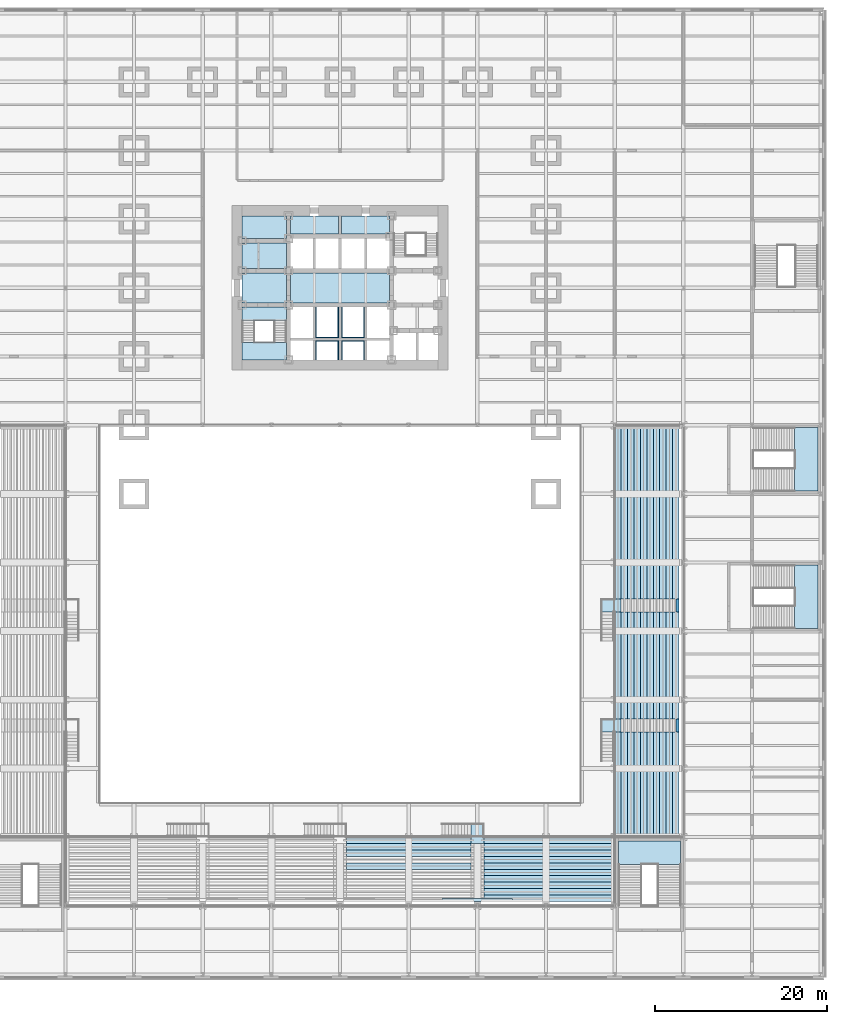
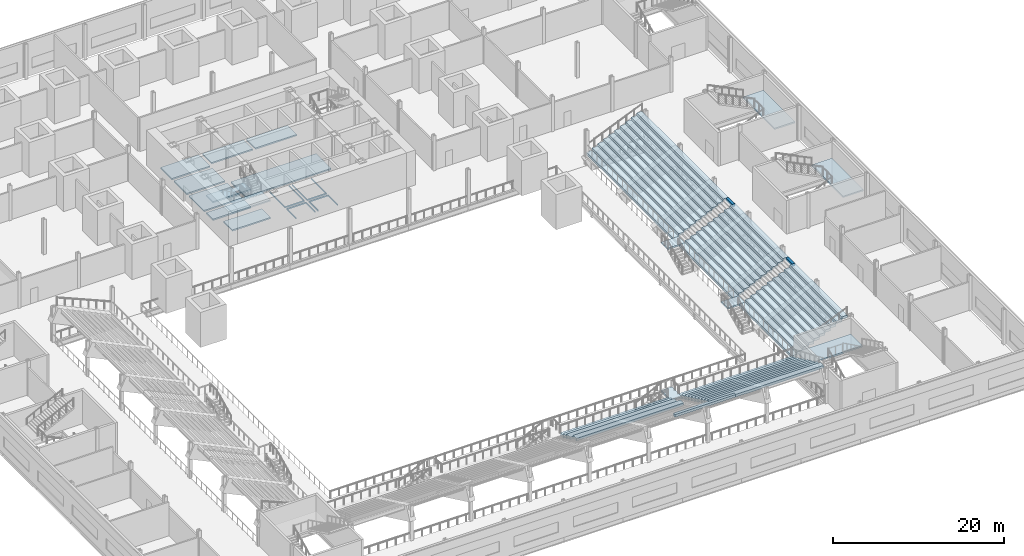
# One storey, part 12 of 27: 67 slabs, 7 elements without a shape of their own.
"""IFC4 building model written with IfcOpenShell, lengths in metres."""

from ifc_helpers import new_model, si_unit, direction, frame, origin, place, context, subcontext, project, spatial, polyline, outline, extrude, material, layer, layer_set, type_object, element, aggregate, save


model = new_model("IFC4")

# Units and contexts
model_context = context("Model", 3, precision=1e-05, world=origin(), true_north=direction((0.0, 1.0)))
body_context = subcontext(model_context, "Body", "Model", "MODEL_VIEW")
ifc_project = project(units=[si_unit("LENGTHUNIT", "METRE"), si_unit("AREAUNIT", "SQUARE_METRE"), si_unit("VOLUMEUNIT", "CUBIC_METRE"), si_unit("PLANEANGLEUNIT", "RADIAN"), si_unit("MASSUNIT", "GRAM", prefix="KILO")], contexts=[model_context])

# Site, building, storey
site_placement = place(None, origin())
site = spatial("IfcSite", under=ifc_project, at=site_placement, CompositionType="ELEMENT")
building_placement = place(site_placement, origin())
building = spatial("IfcBuilding", under=site, at=building_placement, Name="Daluyong Arena Tower", CompositionType="ELEMENT")
storey_placement = place(building_placement, frame((0.0, 0.0, 14.89990234375)))
storey = spatial("IfcBuildingStorey", under=building, at=storey_placement, Name="L03", CompositionType="ELEMENT", Elevation=14.89990234375)

# Slabs
ifc_material_1 = material(Name="Concrete fc' 35 MPa", Category="concrete")
ifc_layer_1 = layer(ifc_material_1, 0.199951171875)
ifc_layer_set_1 = layer_set([ifc_layer_1], Name="Concrete fc' 35 MPa")
slab_type_1 = type_object("IfcSlabType", Name="Podium floor slab 200", PredefinedType="FLOOR", material=ifc_layer_set_1)
slab_1_placement = place(storey_placement, frame((0.0, 0.0, -0.199951171875)))
element("IfcSlab", 1, at=slab_1_placement, inside=storey, type_object=slab_type_1, Name="podium floor L03 part 1", PredefinedType="FLOOR", context=body_context, shape_type="SweptSolid", body=[
    extrude(outline(polyline([(49.75, 76.175048828125), (49.75, 77.75), (44.60009765625, 77.75), (44.60009765625, 76.175048828125), (49.75, 76.175048828125)])), origin(), (0.0, 0.0, 1.0), 0.199951171875),
])
slab_2_placement = place(storey_placement, frame((0.0, 0.0, -0.199951171875)))
element("IfcSlab", 2, at=slab_2_placement, inside=storey, type_object=slab_type_1, Name="podium floor L03 part 2", PredefinedType="FLOOR", context=body_context, shape_type="SweptSolid", body=[
    extrude(outline(polyline([(49.75, 78.25), (49.75, 81.75), (44.60009765625, 81.75), (44.60009765625, 78.25), (49.75, 78.25)])), origin(), (0.0, 0.0, 1.0), 0.199951171875),
])
slab_3_placement = place(storey_placement, frame((0.0, 0.0, -0.199951171875)))
element("IfcSlab", 3, at=slab_3_placement, inside=storey, type_object=slab_type_1, Name="podium floor L03 part 3", PredefinedType="FLOOR", context=body_context, shape_type="SweptSolid", body=[
    extrude(outline(polyline([(49.75, 82.25), (49.75, 85.25), (44.60009765625, 85.25), (44.60009765625, 82.25), (49.75, 82.25)])), origin(), (0.0, 0.0, 1.0), 0.199951171875),
])
slab_4_placement = place(storey_placement, frame((0.0, 0.0, -0.199951171875)))
element("IfcSlab", 4, at=slab_4_placement, inside=storey, type_object=slab_type_1, Name="podium floor L03 part 4", PredefinedType="FLOOR", context=body_context, shape_type="SweptSolid", body=[
    extrude(outline(polyline([(44.60009765625, 88.39990234375), (44.60009765625, 85.75), (49.75, 85.75), (49.75, 88.39990234375), (44.60009765625, 88.39990234375)])), origin(), (0.0, 0.0, 1.0), 0.199951171875),
])
slab_5_placement = place(storey_placement, frame((0.0, 0.0, -0.199951171875)))
element("IfcSlab", 5, at=slab_5_placement, inside=storey, type_object=slab_type_1, Name="podium floor L03 part 5", PredefinedType="FLOOR", context=body_context, shape_type="SweptSolid", body=[
    extrude(outline(polyline([(50.25, 88.39990234375), (50.25, 86.25), (55.824951171875, 86.25), (55.824951171875, 88.39990234375), (50.25, 88.39990234375)])), origin(), (0.0, 0.0, 1.0), 0.199951171875),
])
slab_6_placement = place(storey_placement, frame((0.0, 0.0, -0.199951171875)))
element("IfcSlab", 6, at=slab_6_placement, inside=storey, type_object=slab_type_1, Name="podium floor L03 part 6", PredefinedType="FLOOR", context=body_context, shape_type="SweptSolid", body=[
    extrude(outline(polyline([(53.25, 73.75), (55.75, 73.75), (55.75, 71.60009765625), (55.824951171875, 71.60009765625), (55.824951171875, 73.824951171875), (53.175048828125, 73.824951171875), (53.175048828125, 71.60009765625), (53.25, 71.60009765625), (53.25, 73.75)])), origin(), (0.0, 0.0, 1.0), 0.199951171875),
])
slab_7_placement = place(storey_placement, frame((0.0, 0.0, -0.199951171875)))
element("IfcSlab", 7, at=slab_7_placement, inside=storey, type_object=slab_type_1, Name="podium floor L03 part 7", PredefinedType="FLOOR", context=body_context, shape_type="SweptSolid", body=[
    extrude(outline(polyline([(53.25, 74.25), (53.25, 77.75), (53.175048828125, 77.75), (53.175048828125, 74.175048828125), (55.824951171875, 74.175048828125), (55.824951171875, 77.75), (55.75, 77.75), (55.75, 74.25), (53.25, 74.25)])), origin(), (0.0, 0.0, 1.0), 0.199951171875),
])
slab_8_placement = place(storey_placement, frame((0.0, 0.0, -0.199951171875)))
element("IfcSlab", 8, at=slab_8_placement, inside=storey, type_object=slab_type_1, Name="podium floor L03 part 9", PredefinedType="FLOOR", context=body_context, shape_type="SweptSolid", body=[
    extrude(outline(polyline([(61.75, 81.75), (50.25, 81.75), (50.25, 78.25), (61.75, 78.25), (61.75, 81.75)])), origin(), (0.0, 0.0, 1.0), 0.199951171875),
])
slab_9_placement = place(storey_placement, frame((0.0, 0.0, -0.199951171875)))
element("IfcSlab", 9, at=slab_9_placement, inside=storey, type_object=slab_type_1, Name="podium floor L03 part 10", PredefinedType="FLOOR", context=body_context, shape_type="SweptSolid", body=[
    extrude(outline(polyline([(58.824951171875, 73.824951171875), (56.175048828125, 73.824951171875), (56.175048828125, 71.60009765625), (56.25, 71.60009765625), (56.25, 73.75), (58.75, 73.75), (58.75, 71.60009765625), (58.824951171875, 71.60009765625), (58.824951171875, 73.824951171875)])), origin(), (0.0, 0.0, 1.0), 0.199951171875),
])
slab_10_placement = place(storey_placement, frame((0.0, 0.0, -0.199951171875)))
element("IfcSlab", 10, at=slab_10_placement, inside=storey, type_object=slab_type_1, Name="podium floor L03 part 11", PredefinedType="FLOOR", context=body_context, shape_type="SweptSolid", body=[
    extrude(outline(polyline([(56.25, 74.25), (56.25, 77.75), (56.175048828125, 77.75), (56.175048828125, 74.175048828125), (58.824951171875, 74.175048828125), (58.824951171875, 77.75), (58.75, 77.75), (58.75, 74.25), (56.25, 74.25)])), origin(), (0.0, 0.0, 1.0), 0.199951171875),
])
slab_11_placement = place(storey_placement, frame((0.0, 0.0, -0.199951171875)))
element("IfcSlab", 11, at=slab_11_placement, inside=storey, type_object=slab_type_1, Name="podium floor L03 part 12", PredefinedType="FLOOR", context=body_context, shape_type="SweptSolid", body=[
    extrude(outline(polyline([(56.175048828125, 86.25), (61.75, 86.25), (61.75, 88.39990234375), (56.175048828125, 88.39990234375), (56.175048828125, 86.25)])), origin(), (0.0, 0.0, 1.0), 0.199951171875),
])

# Stair, slabs
ifc_material_2 = material(Name="Concrete fc' 35 MPa", Category="concrete")
stair_type_1 = type_object("IfcStairType", Name="Core exit stair", PredefinedType="HALF_TURN_STAIR", material=ifc_material_2)
stair_1_placement = place(storey_placement, origin())
stair_1 = element("IfcStair", 12, at=stair_1_placement, inside=storey, type_object=stair_type_1, Name="exit stair A L03", PredefinedType="HALF_TURN_STAIR")
ifc_material_3 = material(Name="Concrete fc' 35 MPa", Category="concrete")
ifc_layer_2 = layer(ifc_material_3, 0.199951171875)
ifc_layer_set_2 = layer_set([ifc_layer_2], Name="Concrete fc' 35 MPa")
slab_type_2 = type_object("IfcSlabType", Name="Stair landing 200", PredefinedType="LANDING", material=ifc_layer_set_2)
slab_12_placement = place(storey_placement, frame((0.0, 0.0, 1.050048828125)))
slab_12 = element("IfcSlab", 13, at=slab_12_placement, type_object=slab_type_2, Name="STA landing 1", PredefinedType="LANDING", context=body_context, shape_type="SweptSolid", body=[
    extrude(outline(polyline([(44.60009765625, 71.60009765625), (49.75, 71.60009765625), (49.75, 73.655029296875), (44.60009765625, 73.655029296875), (44.60009765625, 71.60009765625)])), origin(), (0.0, 0.0, 1.0), 0.199951171875),
])
slab_13_placement = place(storey_placement, frame((0.0, 0.0, 2.300048828125)))
slab_13 = element("IfcSlab", 14, at=slab_13_placement, type_object=slab_type_2, Name="STA landing 2", PredefinedType="LANDING", context=body_context, shape_type="SweptSolid", body=[
    extrude(outline(polyline([(44.60009765625, 76.175048828125), (49.75, 76.175048828125), (49.75, 77.75), (44.60009765625, 77.75), (44.60009765625, 76.175048828125)])), origin(), (0.0, 0.0, 1.0), 0.199951171875),
])
slab_14_placement = place(storey_placement, frame((0.0, 0.0, 3.550048828125)))
slab_14 = element("IfcSlab", 15, at=slab_14_placement, type_object=slab_type_2, Name="STA landing 3", PredefinedType="LANDING", context=body_context, shape_type="SweptSolid", body=[
    extrude(outline(polyline([(44.60009765625, 71.60009765625), (49.75, 71.60009765625), (49.75, 73.655029296875), (44.60009765625, 73.655029296875), (44.60009765625, 71.60009765625)])), origin(), (0.0, 0.0, 1.0), 0.199951171875),
])
aggregate(stair_1, [slab_12, slab_13, slab_14])

# Stair, slab
ifc_material_4 = material(Name="Concrete fc' 35 MPa", Category="concrete")
stair_type_2 = type_object("IfcStairType", Name="Podium exit stair", PredefinedType="HALF_TURN_STAIR", material=ifc_material_4)
stair_2_placement = place(storey_placement, origin())
stair_2 = element("IfcStair", 16, at=stair_2_placement, inside=storey, type_object=stair_type_2, Name="exit stair PS2 L03", PredefinedType="HALF_TURN_STAIR")
slab_15_placement = place(storey_placement, frame((0.0, 0.0, 2.300048828125)))
slab_15 = element("IfcSlab", 17, at=slab_15_placement, type_object=slab_type_2, Name="PS2 landing 1", PredefinedType="LANDING", context=body_context, shape_type="SweptSolid", body=[
    extrude(outline(polyline([(88.449951171875, 12.81005859375), (95.699951171875, 12.81005859375), (95.699951171875, 15.550048828125), (88.449951171875, 15.550048828125), (88.449951171875, 12.81005859375)])), origin(), (0.0, 0.0, 1.0), 0.199951171875),
])
aggregate(stair_2, [slab_15])

stair_3_placement = place(storey_placement, origin())
stair_3 = element("IfcStair", 18, at=stair_3_placement, inside=storey, type_object=stair_type_2, Name="exit stair PS4 L03", PredefinedType="HALF_TURN_STAIR")
slab_16_placement = place(storey_placement, frame((0.0, 0.0, 2.300048828125)))
slab_16 = element("IfcSlab", 19, at=slab_16_placement, type_object=slab_type_2, Name="PS4 landing 1", PredefinedType="LANDING", context=body_context, shape_type="SweptSolid", body=[
    extrude(outline(polyline([(111.699951171875, 40.300048828125), (111.699951171875, 47.699951171875), (108.9599609375, 47.699951171875), (108.9599609375, 40.300048828125), (111.699951171875, 40.300048828125)])), origin(), (0.0, 0.0, 1.0), 0.199951171875),
])
aggregate(stair_3, [slab_16])

stair_4_placement = place(storey_placement, origin())
stair_4 = element("IfcStair", 20, at=stair_4_placement, inside=storey, type_object=stair_type_2, Name="exit stair PS8 L03", PredefinedType="HALF_TURN_STAIR")
slab_17_placement = place(storey_placement, frame((0.0, 0.0, 2.300048828125)))
slab_17 = element("IfcSlab", 21, at=slab_17_placement, type_object=slab_type_2, Name="PS8 landing 1", PredefinedType="LANDING", context=body_context, shape_type="SweptSolid", body=[
    extrude(outline(polyline([(111.699951171875, 56.300048828125), (111.699951171875, 63.699951171875), (108.9599609375, 63.699951171875), (108.9599609375, 56.300048828125), (111.699951171875, 56.300048828125)])), origin(), (0.0, 0.0, 1.0), 0.199951171875),
])
aggregate(stair_4, [slab_17])

ifc_material_5 = material(Name="Concrete fc' 35 MPa", Category="concrete")
stair_type_3 = type_object("IfcStairType", Name="Bowl aisle stair", PredefinedType="STRAIGHT_RUN_STAIR", material=ifc_material_5)
stair_5_placement = place(storey_placement, origin())
stair_5 = element("IfcStair", 22, at=stair_5_placement, inside=storey, type_object=stair_type_3, Name="upper bowl aisle stair", PredefinedType="STRAIGHT_RUN_STAIR")
slab_18_placement = place(storey_placement, frame((0.0, 0.0, 1.585693359375)))
slab_18 = element("IfcSlab", 23, at=slab_18_placement, type_object=slab_type_2, Name="AS landing 1", PredefinedType="LANDING", context=body_context, shape_type="SweptSolid", body=[
    extrude(outline(polyline([(88.75, 28.25), (88.75, 29.75), (86.39990234375, 29.75), (86.39990234375, 28.25), (88.75, 28.25)])), origin(), (0.0, 0.0, 1.0), 0.2001953125),
])
aggregate(stair_5, [slab_18])

stair_6_placement = place(storey_placement, origin())
stair_6 = element("IfcStair", 24, at=stair_6_placement, inside=storey, type_object=stair_type_3, Name="upper bowl aisle stair", PredefinedType="STRAIGHT_RUN_STAIR")
slab_19_placement = place(storey_placement, frame((0.0, 0.0, 1.585693359375)))
slab_19 = element("IfcSlab", 25, at=slab_19_placement, type_object=slab_type_2, Name="AS landing 1", PredefinedType="LANDING", context=body_context, shape_type="SweptSolid", body=[
    extrude(outline(polyline([(88.75, 42.25), (88.75, 43.75), (86.39990234375, 43.75), (86.39990234375, 42.25), (88.75, 42.25)])), origin(), (0.0, 0.0, 1.0), 0.2001953125),
])
aggregate(stair_6, [slab_19])

stair_7_placement = place(storey_placement, origin())
stair_7 = element("IfcStair", 26, at=stair_7_placement, inside=storey, type_object=stair_type_3, Name="upper bowl aisle stair", PredefinedType="STRAIGHT_RUN_STAIR")
slab_20_placement = place(storey_placement, frame((0.0, 0.0, 1.585693359375)))
slab_20 = element("IfcSlab", 27, at=slab_20_placement, type_object=slab_type_2, Name="AS landing 1", PredefinedType="LANDING", context=body_context, shape_type="SweptSolid", body=[
    extrude(outline(polyline([(71.25, 15.25), (72.75, 15.25), (72.75, 17.60009765625), (71.25, 17.60009765625), (71.25, 15.25)])), origin(), (0.0, 0.0, 1.0), 0.2001953125),
])
aggregate(stair_7, [slab_20])

# Slabs
ifc_material_6 = material(Name="Concrete fc' 45 MPa", Category="concrete")
ifc_layer_3 = layer(ifc_material_6, 0.357177734375)
ifc_layer_set_3 = layer_set([ifc_layer_3], Name="Concrete fc' 45 MPa")
slab_type_3 = type_object("IfcSlabType", Name="Upper seating aisle head unit", PredefinedType="USERDEFINED", material=ifc_layer_set_3)
slab_21_placement = place(storey_placement, frame((0.0, 0.0, 4.64306640625)))
element("IfcSlab", 28, at=slab_21_placement, inside=storey, type_object=slab_type_3, Name="upper seating row 10 E aisle head 1", ObjectType="SEATING UNIT", PredefinedType="USERDEFINED", context=body_context, shape_type="SweptSolid", body=[
    extrude(outline(polyline([(95.125, 28.25), (95.5, 28.25), (95.5, 29.75), (95.125, 29.75), (95.125, 28.25)])), origin(), (0.0, 0.0, 1.0), 0.35693359375),
])
slab_22_placement = place(storey_placement, frame((0.0, 0.0, 4.64306640625)))
element("IfcSlab", 29, at=slab_22_placement, inside=storey, type_object=slab_type_3, Name="upper seating row 10 E aisle head 2", ObjectType="SEATING UNIT", PredefinedType="USERDEFINED", context=body_context, shape_type="SweptSolid", body=[
    extrude(outline(polyline([(95.125, 42.25), (95.5, 42.25), (95.5, 43.75), (95.125, 43.75), (95.125, 42.25)])), origin(), (0.0, 0.0, 1.0), 0.35693359375),
])
slab_23_placement = place(storey_placement, frame((0.0, 0.0, 4.64306640625)))
element("IfcSlab", 30, at=slab_23_placement, inside=storey, type_object=slab_type_3, Name="upper seating row 10 S aisle head 3", ObjectType="SEATING UNIT", PredefinedType="USERDEFINED", context=body_context, shape_type="SweptSolid", body=[
    extrude(outline(polyline([(76.10009765625, 8.5), (76.10009765625, 8.875), (67.89990234375, 8.875), (67.89990234375, 8.5), (76.10009765625, 8.5)])), origin(), (0.0, 0.0, 1.0), 0.35693359375),
])
ifc_material_7 = material(Name="Concrete fc' 45 MPa", Category="concrete")
ifc_layer_4 = layer(ifc_material_7, 0.357177734375)
ifc_layer_set_4 = layer_set([ifc_layer_4], Name="Concrete fc' 45 MPa")
slab_type_4 = type_object("IfcSlabType", Name="Upper seating unit", PredefinedType="USERDEFINED", material=ifc_layer_set_4)
slab_24_placement = place(storey_placement, frame((0.0, 0.0, 1.4287109375)))
element("IfcSlab", 31, at=slab_24_placement, inside=storey, type_object=slab_type_4, Name="upper seating row 1 E part 1", ObjectType="SEATING UNIT", PredefinedType="USERDEFINED", context=body_context, shape_type="SweptSolid", body=[
    extrude(outline(polyline([(88.75, 16.0), (88.75, 28.25), (88.0, 28.25), (88.0, 16.0), (88.75, 16.0)])), origin(), (0.0, 0.0, 1.0), 0.357177734375),
])
slab_25_placement = place(storey_placement, frame((0.0, 0.0, 1.4287109375)))
element("IfcSlab", 32, at=slab_25_placement, inside=storey, type_object=slab_type_4, Name="upper seating row 1 E part 2", ObjectType="SEATING UNIT", PredefinedType="USERDEFINED", context=body_context, shape_type="SweptSolid", body=[
    extrude(outline(polyline([(88.75, 29.75), (88.75, 42.25), (88.0, 42.25), (88.0, 29.75), (88.75, 29.75)])), origin(), (0.0, 0.0, 1.0), 0.357177734375),
])
slab_26_placement = place(storey_placement, frame((0.0, 0.0, 1.4287109375)))
element("IfcSlab", 33, at=slab_26_placement, inside=storey, type_object=slab_type_4, Name="upper seating row 1 E part 3", ObjectType="SEATING UNIT", PredefinedType="USERDEFINED", context=body_context, shape_type="SweptSolid", body=[
    extrude(outline(polyline([(88.0, 64.0), (88.0, 43.75), (88.75, 43.75), (88.75, 64.0), (88.0, 64.0)])), origin(), (0.0, 0.0, 1.0), 0.357177734375),
])
slab_27_placement = place(storey_placement, frame((0.0, 0.0, 1.4287109375)))
element("IfcSlab", 34, at=slab_27_placement, inside=storey, type_object=slab_type_4, Name="upper seating row 1 S part 3", ObjectType="SEATING UNIT", PredefinedType="USERDEFINED", context=body_context, shape_type="SweptSolid", body=[
    extrude(outline(polyline([(71.25, 16.0), (56.75, 16.0), (56.75, 15.25), (71.25, 15.25), (71.25, 16.0)])), origin(), (0.0, 0.0, 1.0), 0.357177734375),
])
slab_28_placement = place(storey_placement, frame((0.0, 0.0, 1.4287109375)))
element("IfcSlab", 35, at=slab_28_placement, inside=storey, type_object=slab_type_4, Name="upper seating row 1 S part 4", ObjectType="SEATING UNIT", PredefinedType="USERDEFINED", context=body_context, shape_type="SweptSolid", body=[
    extrude(outline(polyline([(88.0, 16.0), (72.75, 16.0), (72.75, 15.25), (88.0, 15.25), (88.0, 16.0)])), origin(), (0.0, 0.0, 1.0), 0.357177734375),
])
slab_29_placement = place(storey_placement, frame((0.0, 0.0, 1.785888671875)))
element("IfcSlab", 36, at=slab_29_placement, inside=storey, type_object=slab_type_4, Name="upper seating row 2 E part 1", ObjectType="SEATING UNIT", PredefinedType="USERDEFINED", context=body_context, shape_type="SweptSolid", body=[
    extrude(outline(polyline([(89.5, 16.0), (89.5, 28.25), (88.75, 28.25), (88.75, 16.0), (89.5, 16.0)])), origin(), (0.0, 0.0, 1.0), 0.357177734375),
])
slab_30_placement = place(storey_placement, frame((0.0, 0.0, 1.785888671875)))
element("IfcSlab", 37, at=slab_30_placement, inside=storey, type_object=slab_type_4, Name="upper seating row 2 E part 2", ObjectType="SEATING UNIT", PredefinedType="USERDEFINED", context=body_context, shape_type="SweptSolid", body=[
    extrude(outline(polyline([(89.5, 29.75), (89.5, 42.25), (88.75, 42.25), (88.75, 29.75), (89.5, 29.75)])), origin(), (0.0, 0.0, 1.0), 0.357177734375),
])
slab_31_placement = place(storey_placement, frame((0.0, 0.0, 1.785888671875)))
element("IfcSlab", 38, at=slab_31_placement, inside=storey, type_object=slab_type_4, Name="upper seating row 2 E part 3", ObjectType="SEATING UNIT", PredefinedType="USERDEFINED", context=body_context, shape_type="SweptSolid", body=[
    extrude(outline(polyline([(88.75, 64.0), (88.75, 43.75), (89.5, 43.75), (89.5, 64.0), (88.75, 64.0)])), origin(), (0.0, 0.0, 1.0), 0.357177734375),
])
slab_32_placement = place(storey_placement, frame((0.0, 0.0, 1.785888671875)))
element("IfcSlab", 39, at=slab_32_placement, inside=storey, type_object=slab_type_4, Name="upper seating row 2 S part 3", ObjectType="SEATING UNIT", PredefinedType="USERDEFINED", context=body_context, shape_type="SweptSolid", body=[
    extrude(outline(polyline([(71.25, 15.25), (56.75, 15.25), (56.75, 14.5), (71.25, 14.5), (71.25, 15.25)])), origin(), (0.0, 0.0, 1.0), 0.357177734375),
])
slab_33_placement = place(storey_placement, frame((0.0, 0.0, 1.785888671875)))
element("IfcSlab", 40, at=slab_33_placement, inside=storey, type_object=slab_type_4, Name="upper seating row 2 S part 4", ObjectType="SEATING UNIT", PredefinedType="USERDEFINED", context=body_context, shape_type="SweptSolid", body=[
    extrude(outline(polyline([(88.0, 15.25), (72.75, 15.25), (72.75, 14.5), (88.0, 14.5), (88.0, 15.25)])), origin(), (0.0, 0.0, 1.0), 0.357177734375),
])
slab_34_placement = place(storey_placement, frame((0.0, 0.0, 2.14306640625)))
element("IfcSlab", 41, at=slab_34_placement, inside=storey, type_object=slab_type_4, Name="upper seating row 3 E part 1", ObjectType="SEATING UNIT", PredefinedType="USERDEFINED", context=body_context, shape_type="SweptSolid", body=[
    extrude(outline(polyline([(90.25, 16.0), (90.25, 28.25), (89.5, 28.25), (89.5, 16.0), (90.25, 16.0)])), origin(), (0.0, 0.0, 1.0), 0.35693359375),
])
slab_35_placement = place(storey_placement, frame((0.0, 0.0, 2.14306640625)))
element("IfcSlab", 42, at=slab_35_placement, inside=storey, type_object=slab_type_4, Name="upper seating row 3 E part 2", ObjectType="SEATING UNIT", PredefinedType="USERDEFINED", context=body_context, shape_type="SweptSolid", body=[
    extrude(outline(polyline([(90.25, 29.75), (90.25, 42.25), (89.5, 42.25), (89.5, 29.75), (90.25, 29.75)])), origin(), (0.0, 0.0, 1.0), 0.35693359375),
])
slab_36_placement = place(storey_placement, frame((0.0, 0.0, 2.14306640625)))
element("IfcSlab", 43, at=slab_36_placement, inside=storey, type_object=slab_type_4, Name="upper seating row 3 E part 3", ObjectType="SEATING UNIT", PredefinedType="USERDEFINED", context=body_context, shape_type="SweptSolid", body=[
    extrude(outline(polyline([(89.5, 64.0), (89.5, 43.75), (90.25, 43.75), (90.25, 64.0), (89.5, 64.0)])), origin(), (0.0, 0.0, 1.0), 0.35693359375),
])
slab_37_placement = place(storey_placement, frame((0.0, 0.0, 2.14306640625)))
element("IfcSlab", 44, at=slab_37_placement, inside=storey, type_object=slab_type_4, Name="upper seating row 3 S part 3", ObjectType="SEATING UNIT", PredefinedType="USERDEFINED", context=body_context, shape_type="SweptSolid", body=[
    extrude(outline(polyline([(71.25, 14.5), (56.75, 14.5), (56.75, 13.75), (71.25, 13.75), (71.25, 14.5)])), origin(), (0.0, 0.0, 1.0), 0.35693359375),
])
slab_38_placement = place(storey_placement, frame((0.0, 0.0, 2.14306640625)))
element("IfcSlab", 45, at=slab_38_placement, inside=storey, type_object=slab_type_4, Name="upper seating row 3 S part 4", ObjectType="SEATING UNIT", PredefinedType="USERDEFINED", context=body_context, shape_type="SweptSolid", body=[
    extrude(outline(polyline([(88.0, 14.5), (72.75, 14.5), (72.75, 13.75), (88.0, 13.75), (88.0, 14.5)])), origin(), (0.0, 0.0, 1.0), 0.35693359375),
])
slab_39_placement = place(storey_placement, frame((0.0, 0.0, 2.5)))
element("IfcSlab", 46, at=slab_39_placement, inside=storey, type_object=slab_type_4, Name="upper seating row 4 E part 1", ObjectType="SEATING UNIT", PredefinedType="USERDEFINED", context=body_context, shape_type="SweptSolid", body=[
    extrude(outline(polyline([(91.0, 16.0), (91.0, 28.25), (90.25, 28.25), (90.25, 16.0), (91.0, 16.0)])), origin(), (0.0, 0.0, 1.0), 0.357177734375),
])
slab_40_placement = place(storey_placement, frame((0.0, 0.0, 2.5)))
element("IfcSlab", 47, at=slab_40_placement, inside=storey, type_object=slab_type_4, Name="upper seating row 4 E part 2", ObjectType="SEATING UNIT", PredefinedType="USERDEFINED", context=body_context, shape_type="SweptSolid", body=[
    extrude(outline(polyline([(91.0, 29.75), (91.0, 42.25), (90.25, 42.25), (90.25, 29.75), (91.0, 29.75)])), origin(), (0.0, 0.0, 1.0), 0.357177734375),
])
slab_41_placement = place(storey_placement, frame((0.0, 0.0, 2.5)))
element("IfcSlab", 48, at=slab_41_placement, inside=storey, type_object=slab_type_4, Name="upper seating row 4 E part 3", ObjectType="SEATING UNIT", PredefinedType="USERDEFINED", context=body_context, shape_type="SweptSolid", body=[
    extrude(outline(polyline([(90.25, 64.0), (90.25, 43.75), (91.0, 43.75), (91.0, 64.0), (90.25, 64.0)])), origin(), (0.0, 0.0, 1.0), 0.357177734375),
])
slab_42_placement = place(storey_placement, frame((0.0, 0.0, 2.5)))
element("IfcSlab", 49, at=slab_42_placement, inside=storey, type_object=slab_type_4, Name="upper seating row 4 S part 4", ObjectType="SEATING UNIT", PredefinedType="USERDEFINED", context=body_context, shape_type="SweptSolid", body=[
    extrude(outline(polyline([(88.0, 13.75), (72.75, 13.75), (72.75, 13.0), (88.0, 13.0), (88.0, 13.75)])), origin(), (0.0, 0.0, 1.0), 0.357177734375),
])
slab_43_placement = place(storey_placement, frame((0.0, 0.0, 2.857177734375)))
element("IfcSlab", 50, at=slab_43_placement, inside=storey, type_object=slab_type_4, Name="upper seating row 5 E part 1", ObjectType="SEATING UNIT", PredefinedType="USERDEFINED", context=body_context, shape_type="SweptSolid", body=[
    extrude(outline(polyline([(91.75, 16.0), (91.75, 28.25), (91.0, 28.25), (91.0, 16.0), (91.75, 16.0)])), origin(), (0.0, 0.0, 1.0), 0.357177734375),
])
slab_44_placement = place(storey_placement, frame((0.0, 0.0, 2.857177734375)))
element("IfcSlab", 51, at=slab_44_placement, inside=storey, type_object=slab_type_4, Name="upper seating row 5 E part 2", ObjectType="SEATING UNIT", PredefinedType="USERDEFINED", context=body_context, shape_type="SweptSolid", body=[
    extrude(outline(polyline([(91.75, 29.75), (91.75, 42.25), (91.0, 42.25), (91.0, 29.75), (91.75, 29.75)])), origin(), (0.0, 0.0, 1.0), 0.357177734375),
])
slab_45_placement = place(storey_placement, frame((0.0, 0.0, 2.857177734375)))
element("IfcSlab", 52, at=slab_45_placement, inside=storey, type_object=slab_type_4, Name="upper seating row 5 E part 3", ObjectType="SEATING UNIT", PredefinedType="USERDEFINED", context=body_context, shape_type="SweptSolid", body=[
    extrude(outline(polyline([(91.0, 64.0), (91.0, 43.75), (91.75, 43.75), (91.75, 64.0), (91.0, 64.0)])), origin(), (0.0, 0.0, 1.0), 0.357177734375),
])
slab_46_placement = place(storey_placement, frame((0.0, 0.0, 2.857177734375)))
element("IfcSlab", 53, at=slab_46_placement, inside=storey, type_object=slab_type_4, Name="upper seating row 5 S part 3", ObjectType="SEATING UNIT", PredefinedType="USERDEFINED", context=body_context, shape_type="SweptSolid", body=[
    extrude(outline(polyline([(71.25, 13.0), (56.75, 13.0), (56.75, 12.25), (71.25, 12.25), (71.25, 13.0)])), origin(), (0.0, 0.0, 1.0), 0.357177734375),
])
slab_47_placement = place(storey_placement, frame((0.0, 0.0, 2.857177734375)))
element("IfcSlab", 54, at=slab_47_placement, inside=storey, type_object=slab_type_4, Name="upper seating row 5 S part 4", ObjectType="SEATING UNIT", PredefinedType="USERDEFINED", context=body_context, shape_type="SweptSolid", body=[
    extrude(outline(polyline([(88.0, 13.0), (72.75, 13.0), (72.75, 12.25), (88.0, 12.25), (88.0, 13.0)])), origin(), (0.0, 0.0, 1.0), 0.357177734375),
])
slab_48_placement = place(storey_placement, frame((0.0, 0.0, 3.21435546875)))
element("IfcSlab", 55, at=slab_48_placement, inside=storey, type_object=slab_type_4, Name="upper seating row 6 E part 1", ObjectType="SEATING UNIT", PredefinedType="USERDEFINED", context=body_context, shape_type="SweptSolid", body=[
    extrude(outline(polyline([(92.5, 16.0), (92.5, 28.25), (91.75, 28.25), (91.75, 16.0), (92.5, 16.0)])), origin(), (0.0, 0.0, 1.0), 0.357177734375),
])
slab_49_placement = place(storey_placement, frame((0.0, 0.0, 3.21435546875)))
element("IfcSlab", 56, at=slab_49_placement, inside=storey, type_object=slab_type_4, Name="upper seating row 6 E part 2", ObjectType="SEATING UNIT", PredefinedType="USERDEFINED", context=body_context, shape_type="SweptSolid", body=[
    extrude(outline(polyline([(92.5, 29.75), (92.5, 42.25), (91.75, 42.25), (91.75, 29.75), (92.5, 29.75)])), origin(), (0.0, 0.0, 1.0), 0.357177734375),
])
slab_50_placement = place(storey_placement, frame((0.0, 0.0, 3.21435546875)))
element("IfcSlab", 57, at=slab_50_placement, inside=storey, type_object=slab_type_4, Name="upper seating row 6 E part 3", ObjectType="SEATING UNIT", PredefinedType="USERDEFINED", context=body_context, shape_type="SweptSolid", body=[
    extrude(outline(polyline([(91.75, 64.0), (91.75, 43.75), (92.5, 43.75), (92.5, 64.0), (91.75, 64.0)])), origin(), (0.0, 0.0, 1.0), 0.357177734375),
])
slab_51_placement = place(storey_placement, frame((0.0, 0.0, 3.21435546875)))
element("IfcSlab", 58, at=slab_51_placement, inside=storey, type_object=slab_type_4, Name="upper seating row 6 S part 4", ObjectType="SEATING UNIT", PredefinedType="USERDEFINED", context=body_context, shape_type="SweptSolid", body=[
    extrude(outline(polyline([(88.0, 12.25), (72.75, 12.25), (72.75, 11.5), (88.0, 11.5), (88.0, 12.25)])), origin(), (0.0, 0.0, 1.0), 0.357177734375),
])
slab_52_placement = place(storey_placement, frame((0.0, 0.0, 3.571533203125)))
element("IfcSlab", 59, at=slab_52_placement, inside=storey, type_object=slab_type_4, Name="upper seating row 7 E part 1", ObjectType="SEATING UNIT", PredefinedType="USERDEFINED", context=body_context, shape_type="SweptSolid", body=[
    extrude(outline(polyline([(93.25, 16.0), (93.25, 28.25), (92.5, 28.25), (92.5, 16.0), (93.25, 16.0)])), origin(), (0.0, 0.0, 1.0), 0.357177734375),
])
slab_53_placement = place(storey_placement, frame((0.0, 0.0, 3.571533203125)))
element("IfcSlab", 60, at=slab_53_placement, inside=storey, type_object=slab_type_4, Name="upper seating row 7 E part 2", ObjectType="SEATING UNIT", PredefinedType="USERDEFINED", context=body_context, shape_type="SweptSolid", body=[
    extrude(outline(polyline([(93.25, 29.75), (93.25, 42.25), (92.5, 42.25), (92.5, 29.75), (93.25, 29.75)])), origin(), (0.0, 0.0, 1.0), 0.357177734375),
])
slab_54_placement = place(storey_placement, frame((0.0, 0.0, 3.571533203125)))
element("IfcSlab", 61, at=slab_54_placement, inside=storey, type_object=slab_type_4, Name="upper seating row 7 E part 3", ObjectType="SEATING UNIT", PredefinedType="USERDEFINED", context=body_context, shape_type="SweptSolid", body=[
    extrude(outline(polyline([(92.5, 64.0), (92.5, 43.75), (93.25, 43.75), (93.25, 64.0), (92.5, 64.0)])), origin(), (0.0, 0.0, 1.0), 0.357177734375),
])
slab_55_placement = place(storey_placement, frame((0.0, 0.0, 3.571533203125)))
element("IfcSlab", 62, at=slab_55_placement, inside=storey, type_object=slab_type_4, Name="upper seating row 7 S part 4", ObjectType="SEATING UNIT", PredefinedType="USERDEFINED", context=body_context, shape_type="SweptSolid", body=[
    extrude(outline(polyline([(88.0, 11.5), (72.75, 11.5), (72.75, 10.75), (88.0, 10.75), (88.0, 11.5)])), origin(), (0.0, 0.0, 1.0), 0.357177734375),
])
slab_56_placement = place(storey_placement, frame((0.0, 0.0, 3.9287109375)))
element("IfcSlab", 63, at=slab_56_placement, inside=storey, type_object=slab_type_4, Name="upper seating row 8 E part 1", ObjectType="SEATING UNIT", PredefinedType="USERDEFINED", context=body_context, shape_type="SweptSolid", body=[
    extrude(outline(polyline([(94.0, 16.0), (94.0, 28.25), (93.25, 28.25), (93.25, 16.0), (94.0, 16.0)])), origin(), (0.0, 0.0, 1.0), 0.357177734375),
])
slab_57_placement = place(storey_placement, frame((0.0, 0.0, 3.9287109375)))
element("IfcSlab", 64, at=slab_57_placement, inside=storey, type_object=slab_type_4, Name="upper seating row 8 E part 2", ObjectType="SEATING UNIT", PredefinedType="USERDEFINED", context=body_context, shape_type="SweptSolid", body=[
    extrude(outline(polyline([(94.0, 29.75), (94.0, 42.25), (93.25, 42.25), (93.25, 29.75), (94.0, 29.75)])), origin(), (0.0, 0.0, 1.0), 0.357177734375),
])
slab_58_placement = place(storey_placement, frame((0.0, 0.0, 3.9287109375)))
element("IfcSlab", 65, at=slab_58_placement, inside=storey, type_object=slab_type_4, Name="upper seating row 8 E part 3", ObjectType="SEATING UNIT", PredefinedType="USERDEFINED", context=body_context, shape_type="SweptSolid", body=[
    extrude(outline(polyline([(93.25, 64.0), (93.25, 43.75), (94.0, 43.75), (94.0, 64.0), (93.25, 64.0)])), origin(), (0.0, 0.0, 1.0), 0.357177734375),
])
slab_59_placement = place(storey_placement, frame((0.0, 0.0, 3.9287109375)))
element("IfcSlab", 66, at=slab_59_placement, inside=storey, type_object=slab_type_4, Name="upper seating row 8 S part 4", ObjectType="SEATING UNIT", PredefinedType="USERDEFINED", context=body_context, shape_type="SweptSolid", body=[
    extrude(outline(polyline([(88.0, 10.75), (72.75, 10.75), (72.75, 10.0), (88.0, 10.0), (88.0, 10.75)])), origin(), (0.0, 0.0, 1.0), 0.357177734375),
])
slab_60_placement = place(storey_placement, frame((0.0, 0.0, 4.285888671875)))
element("IfcSlab", 67, at=slab_60_placement, inside=storey, type_object=slab_type_4, Name="upper seating row 9 E part 1", ObjectType="SEATING UNIT", PredefinedType="USERDEFINED", context=body_context, shape_type="SweptSolid", body=[
    extrude(outline(polyline([(94.75, 16.0), (94.75, 28.25), (94.0, 28.25), (94.0, 16.0), (94.75, 16.0)])), origin(), (0.0, 0.0, 1.0), 0.357177734375),
])
slab_61_placement = place(storey_placement, frame((0.0, 0.0, 4.285888671875)))
element("IfcSlab", 68, at=slab_61_placement, inside=storey, type_object=slab_type_4, Name="upper seating row 9 E part 2", ObjectType="SEATING UNIT", PredefinedType="USERDEFINED", context=body_context, shape_type="SweptSolid", body=[
    extrude(outline(polyline([(94.75, 29.75), (94.75, 42.25), (94.0, 42.25), (94.0, 29.75), (94.75, 29.75)])), origin(), (0.0, 0.0, 1.0), 0.357177734375),
])
slab_62_placement = place(storey_placement, frame((0.0, 0.0, 4.285888671875)))
element("IfcSlab", 69, at=slab_62_placement, inside=storey, type_object=slab_type_4, Name="upper seating row 9 E part 3", ObjectType="SEATING UNIT", PredefinedType="USERDEFINED", context=body_context, shape_type="SweptSolid", body=[
    extrude(outline(polyline([(94.0, 64.0), (94.0, 43.75), (94.75, 43.75), (94.75, 64.0), (94.0, 64.0)])), origin(), (0.0, 0.0, 1.0), 0.357177734375),
])
slab_63_placement = place(storey_placement, frame((0.0, 0.0, 4.285888671875)))
element("IfcSlab", 70, at=slab_63_placement, inside=storey, type_object=slab_type_4, Name="upper seating row 9 S part 4", ObjectType="SEATING UNIT", PredefinedType="USERDEFINED", context=body_context, shape_type="SweptSolid", body=[
    extrude(outline(polyline([(88.0, 10.0), (72.75, 10.0), (72.75, 9.25), (88.0, 9.25), (88.0, 10.0)])), origin(), (0.0, 0.0, 1.0), 0.357177734375),
])
slab_64_placement = place(storey_placement, frame((0.0, 0.0, 4.64306640625)))
element("IfcSlab", 71, at=slab_64_placement, inside=storey, type_object=slab_type_4, Name="upper seating row 10 E part 1", ObjectType="SEATING UNIT", PredefinedType="USERDEFINED", context=body_context, shape_type="SweptSolid", body=[
    extrude(outline(polyline([(95.5, 16.0), (95.5, 28.25), (94.75, 28.25), (94.75, 16.0), (95.5, 16.0)])), origin(), (0.0, 0.0, 1.0), 0.35693359375),
])
slab_65_placement = place(storey_placement, frame((0.0, 0.0, 4.64306640625)))
element("IfcSlab", 72, at=slab_65_placement, inside=storey, type_object=slab_type_4, Name="upper seating row 10 E part 2", ObjectType="SEATING UNIT", PredefinedType="USERDEFINED", context=body_context, shape_type="SweptSolid", body=[
    extrude(outline(polyline([(95.5, 29.75), (95.5, 42.25), (94.75, 42.25), (94.75, 29.75), (95.5, 29.75)])), origin(), (0.0, 0.0, 1.0), 0.35693359375),
])
slab_66_placement = place(storey_placement, frame((0.0, 0.0, 4.64306640625)))
element("IfcSlab", 73, at=slab_66_placement, inside=storey, type_object=slab_type_4, Name="upper seating row 10 E part 3", ObjectType="SEATING UNIT", PredefinedType="USERDEFINED", context=body_context, shape_type="SweptSolid", body=[
    extrude(outline(polyline([(94.75, 64.0), (94.75, 43.75), (95.5, 43.75), (95.5, 64.0), (94.75, 64.0)])), origin(), (0.0, 0.0, 1.0), 0.35693359375),
])
slab_67_placement = place(storey_placement, frame((0.0, 0.0, 4.64306640625)))
element("IfcSlab", 74, at=slab_67_placement, inside=storey, type_object=slab_type_4, Name="upper seating row 10 S part 4", ObjectType="SEATING UNIT", PredefinedType="USERDEFINED", context=body_context, shape_type="SweptSolid", body=[
    extrude(outline(polyline([(88.0, 8.5), (88.0, 9.25), (72.75, 9.25), (72.75, 8.875), (76.10009765625, 8.875), (76.10009765625, 8.5), (88.0, 8.5)])), origin(), (0.0, 0.0, 1.0), 0.35693359375),
])

save(model, "model.ifc")
